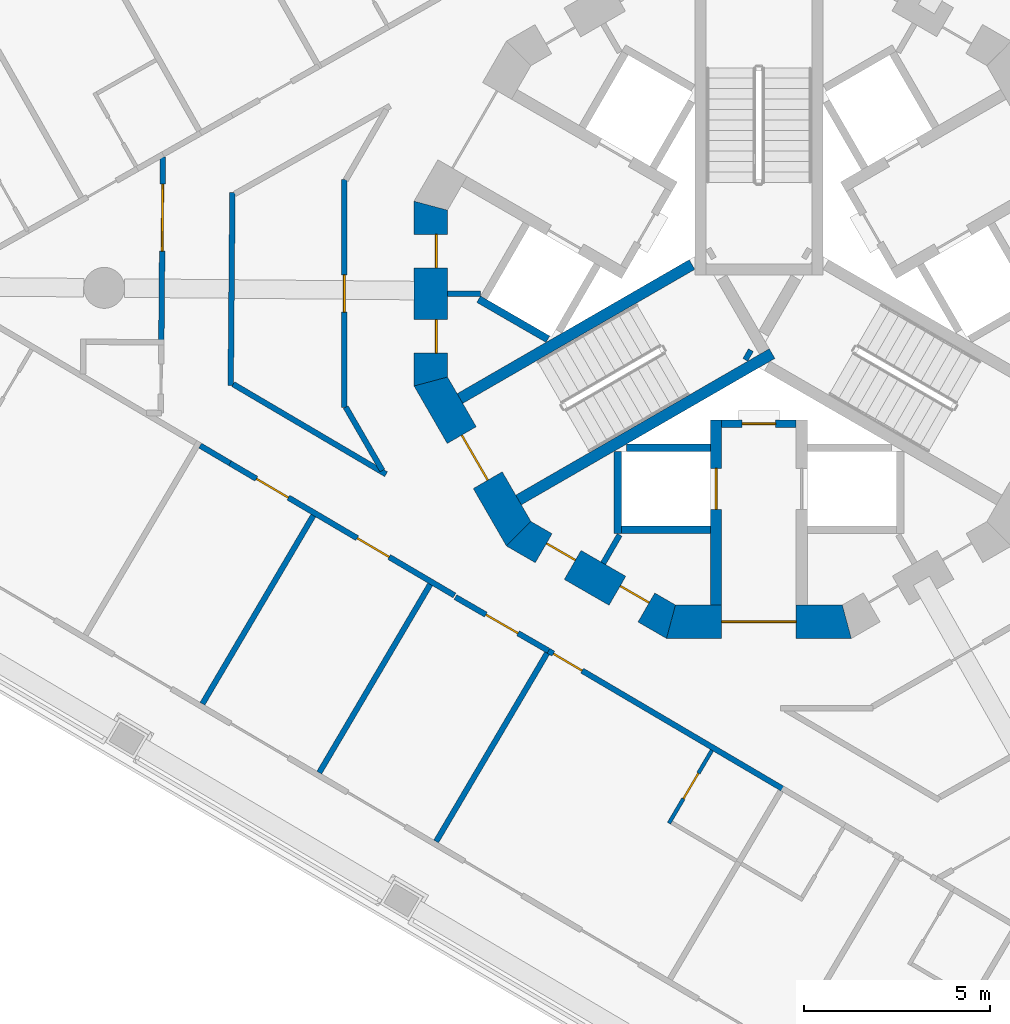
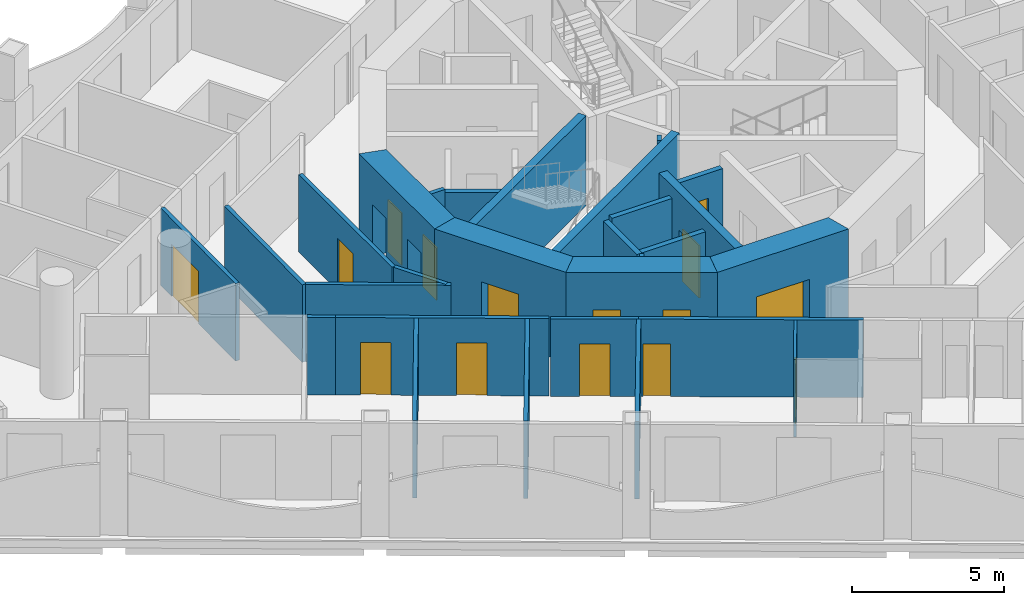
# One storey, part 3 of 17: 28 walls, 15 doors, 15 openings.
"""IFC4 building model written with IfcOpenShell, lengths in metres."""

from ifc_helpers import new_model, si_unit, direction, frame, frame_2d, origin, place, context, subcontext, project, spatial, polyline, rectangle, outline, extrude, material, layer, layer_set, type_object, element, fill, save


model = new_model("IFC4")

# Units and contexts
model_context = context("Model", 3, precision=1e-05, world=origin(), true_north=direction((0.0, 1.0)))
body_context = subcontext(model_context, "Body", "Model", "MODEL_VIEW")
ifc_project = project(units=[si_unit("LENGTHUNIT", "METRE"), si_unit("AREAUNIT", "SQUARE_METRE"), si_unit("VOLUMEUNIT", "CUBIC_METRE"), si_unit("PLANEANGLEUNIT", "RADIAN"), si_unit("MASSUNIT", "GRAM", prefix="KILO")], contexts=[model_context])

# Site, building, storey
site_placement = place(None, origin())
site = spatial("IfcSite", under=ifc_project, at=site_placement, CompositionType="ELEMENT")
building_placement = place(site_placement, origin())
building = spatial("IfcBuilding", under=site, at=building_placement, Name="Trine Commons Tower", CompositionType="ELEMENT")
storey_placement = place(building_placement, frame((0.0, 0.0, 189.89990234375)))
storey = spatial("IfcBuildingStorey", under=building, at=storey_placement, Name="L49", CompositionType="ELEMENT", Elevation=189.89990234375)

# Walls
ifc_material_1 = material(Name="Plasterboard partition on steel studs", Category="steel")
ifc_layer_1 = layer(ifc_material_1, 0.14990234375)
ifc_layer_set_1 = layer_set([ifc_layer_1], Name="Plasterboard partition on steel studs")
wall_type_1 = type_object("IfcWallType", Name="Core room partition 150 mm, EI 60", PredefinedType="PARTITIONING", material=ifc_layer_set_1)
for number, where, z_axis, x_axis, name in (
    (1, (71.626953125, 62.5, 0.0), (0.0, 0.0, 1.0), (1.0, 0.0, 0.0), "Core room partition L49"),
    (2, (75.81396484375, 55.2490234375, 0.0), (0.0, 0.0, 1.0), (0.499890179513, 0.866088799389, 0.0), "Core room partition L49"),
):
    element("IfcWall", number, at=place(storey_placement, frame(where, z_axis=z_axis, x_axis=x_axis)), inside=storey, type_object=wall_type_1, Name=name, PredefinedType="PARTITIONING", context=body_context, shape_type="SweptSolid", body=[
        extrude(rectangle(XDim=0.882080078125, YDim=0.14990234375, at=frame_2d((0.44091796875, 0.0))), origin(), (0.0, 0.0, 1.0), 3.10009765625),
    ])

# Wall, opening, door
ifc_material_2 = material(Name="Fire-rated gypsum shaft wall system")
ifc_layer_2 = layer(ifc_material_2, 0.199951171875)
ifc_layer_set_2 = layer_set([ifc_layer_2], Name="Fire-rated gypsum shaft wall system")
wall_type_2 = type_object("IfcWallType", Name="Lobby end wall 200 mm, EI 120", PredefinedType="PARTITIONING", material=ifc_layer_set_2)
wall_1_placement = place(storey_placement, frame((79.0, 59.0, 0.0), z_axis=(0.0, 0.0, 1.0), x_axis=(1.0, 0.0, 0.0)))
wall_1 = element("IfcWall", 3, at=wall_1_placement, inside=storey, type_object=wall_type_2, Name="Lobby end wall L49", PredefinedType="PARTITIONING", context=body_context, shape_type="SweptSolid", body=[
    extrude(rectangle(XDim=2.0, YDim=0.199951171875, at=frame_2d((1.0, 0.0))), origin(), (0.0, 0.0, 1.0), 3.10009765625),
])
opening_1_placement = place(wall_1_placement, frame((0.550048828125, 0.0, 0.0)))
opening_1 = element("IfcOpeningElement", 4, at=opening_1_placement, cuts=wall_1, Name="Opening K12.09", PredefinedType="OPENING", context=body_context, shape_type="SweptSolid", body=[
    extrude(rectangle(XDim=0.89990234375, YDim=2.10009765625, at=frame_2d((0.449951171875, 1.050048828125))), frame((0.0, 0.10986328125, 0.0), z_axis=(0.0, -1.0, 0.0), x_axis=(1.0, 0.0, 0.0)), (0.0, 0.0, 1.0), 0.219970703125),
])
ifc_material_3 = material(Name="Steel door leaf, fire-rated", Category="steel")
door_type_1 = type_object("IfcDoorType", Name="Riser access door, single leaf 900 x 2100, FD60", OperationType="SINGLE_SWING_LEFT", PredefinedType="DOOR", material=ifc_material_3)
door_1_placement = place(opening_1_placement, frame((0.89990234375, 0.0, 0.0), z_axis=(0.0, 0.0, 1.0), x_axis=(-1.0, 0.0, 0.0)))
door_1 = element("IfcDoor", 5, at=door_1_placement, inside=storey, type_object=door_type_1, Name="Riser door, Communications riser L49", OperationType="SINGLE_SWING_RIGHT", OverallHeight=2.10009765625, OverallWidth=0.89990234375, PredefinedType="DOOR", context=body_context, shape_type="SweptSolid", body=[
    extrude(rectangle(XDim=0.89990234375, YDim=2.10009765625, at=frame_2d((0.449951171875, 1.050048828125))), frame((0.0, 0.02490234375, 0.0), z_axis=(0.0, -1.0, 0.0), x_axis=(1.0, 0.0, 0.0)), (0.0, 0.0, 1.0), 0.050048828125),
])
fill(opening_1, door_1)

ifc_material_4 = material(Name="Concrete C60/75", Category="concrete")
ifc_layer_3 = layer(ifc_material_4, 0.300048828125)
ifc_layer_set_3 = layer_set([ifc_layer_3], Name="Concrete C60/75")
wall_type_3 = type_object("IfcWallType", Name="RC shear wall 300 mm, C60/75", PredefinedType="SHEAR", material=ifc_layer_set_3)
wall_2_placement = place(storey_placement, frame((78.85009765625, 59.10009765625, 0.0), z_axis=(0.0, 0.0, 1.0), x_axis=(0.0, -1.0, 0.0)))
wall_2 = element("IfcWall", 6, at=wall_2_placement, inside=storey, type_object=wall_type_3, Name="Core cross wall SWB-03 L49", PredefinedType="SHEAR", context=body_context, shape_type="SweptSolid", body=[
    extrude(rectangle(XDim=4.97314453125, YDim=0.300048828125, at=frame_2d((2.486572265625, 0.0))), origin(), (0.0, 0.0, 1.0), 3.60009765625),
])
opening_2_placement = place(wall_2_placement, frame((1.300048828125, 0.0, 0.0)))
opening_2 = element("IfcOpeningElement", 7, at=opening_2_placement, cuts=wall_2, Name="Opening LD10", PredefinedType="OPENING", context=body_context, shape_type="SweptSolid", body=[
    extrude(rectangle(XDim=1.10009765625, YDim=2.10009765625, at=frame_2d((0.550048828125, 1.050048828125))), frame((0.0, 0.159912109375, 0.0), z_axis=(0.0, -1.0, 0.0), x_axis=(1.0, 0.0, 0.0)), (0.0, 0.0, 1.0), 0.320068359375),
])
ifc_material_5 = material(Name="Stainless steel sliding door leaves", Category="steel")
door_type_2 = type_object("IfcDoorType", Name="Lift landing door, centre-opening sliding 1100 x 2100, FD90", OperationType="DOUBLE_DOOR_SLIDING", PredefinedType="DOOR", material=ifc_material_5)
door_2_placement = place(opening_2_placement, origin())
door_2 = element("IfcDoor", 8, at=door_2_placement, inside=storey, type_object=door_type_2, Name="Lift landing door FF2 L49", OperationType="DOUBLE_DOOR_SLIDING", OverallHeight=2.10009765625, OverallWidth=1.10009765625, PredefinedType="DOOR", context=body_context, shape_type="SweptSolid", body=[
    extrude(rectangle(XDim=1.10009765625, YDim=2.10009765625, at=frame_2d((0.550048828125, 1.050048828125))), frame((0.0, 0.02490234375, 0.0), z_axis=(0.0, -1.0, 0.0), x_axis=(1.0, 0.0, 0.0)), (0.0, 0.0, 1.0), 0.050048828125),
])
fill(opening_2, door_2)

# Walls
wall_3_placement = place(storey_placement, frame((78.199951171875, 63.280029296875, 0.0), z_axis=(0.0, 0.0, 1.0), x_axis=(-0.866028135082, -0.499995269223, 0.0)))
element("IfcWall", 9, at=wall_3_placement, inside=storey, type_object=wall_type_3, Name="Core cross wall SWB-07 L49", PredefinedType="SHEAR", context=body_context, shape_type="SweptSolid", body=[
    extrude(rectangle(XDim=7.2041015625, YDim=0.300048828125, at=frame_2d((3.60205078125, 0.0))), origin(), (0.0, 0.0, 1.0), 3.60009765625),
])
wall_4_placement = place(storey_placement, frame((79.64599609375, 60.885986328125, 0.0), z_axis=(0.0, 0.0, 1.0), x_axis=(0.867331893649, -0.497730234424, 0.0)))
element("IfcWall", 10, at=wall_4_placement, inside=storey, type_object=wall_type_3, Name="Core cross wall SWB-11 L49", PredefinedType="SHEAR", context=body_context, shape_type="SweptSolid", body=[
    extrude(rectangle(XDim=0.148681640625, YDim=0.300048828125, at=frame_2d((0.07421875, 0.0))), origin(), (0.0, 0.0, 1.0), 3.60009765625),
])
wall_5_placement = place(storey_placement, frame((80.35400390625, 60.885986328125, 0.0), z_axis=(0.0, 0.0, 1.0), x_axis=(-0.866047706748, -0.499961368145, 0.0)))
element("IfcWall", 11, at=wall_5_placement, inside=storey, type_object=wall_type_3, Name="Core cross wall SWB-14 L49", PredefinedType="SHEAR", context=body_context, shape_type="SweptSolid", body=[
    extrude(rectangle(XDim=7.87255859375, YDim=0.300048828125, at=frame_2d((3.936279296875, 0.0))), origin(), (0.0, 0.0, 1.0), 3.60009765625),
])

# Wall, openings, doors
ifc_layer_4 = layer(ifc_material_4, 0.89990234375)
ifc_layer_set_4 = layer_set([ifc_layer_4], Name="Concrete C60/75")
wall_type_4 = type_object("IfcWallType", Name="RC shear wall 900 mm, C60/75", PredefinedType="SHEAR", material=ifc_layer_set_4)
wall_6_placement = place(storey_placement, frame((71.177001953125, 64.984619140625, 0.0), z_axis=(0.0, 0.0, 1.0), x_axis=(0.0, -1.0, 0.0)))
wall_6 = element("IfcWall", 12, at=wall_6_placement, inside=storey, type_object=wall_type_4, Name="Core wall CWE-07 L49", PredefinedType="SHEAR", context=body_context, shape_type="SweptSolid", body=[
    extrude(outline(polyline([(0.0, -0.449951171875), (4.969482421875, -0.449951171875), (4.728271484375, 0.449951171875), (0.2412109375, 0.449951171875), (0.0, -0.449951171875)])), origin(), (0.0, 0.0, 1.0), 3.60009765625),
])
opening_3_placement = place(wall_6_placement, frame((0.893798828125, 0.0, 0.0)))
opening_3 = element("IfcOpeningElement", 13, at=opening_3_placement, cuts=wall_6, Name="Opening K12.16", PredefinedType="OPENING", context=body_context, shape_type="SweptSolid", body=[
    extrude(rectangle(XDim=0.89990234375, YDim=2.10009765625, at=frame_2d((0.449951171875, 1.050048828125))), frame((0.0, 0.4599609375, 0.0), z_axis=(0.0, -1.0, 0.0), x_axis=(1.0, 0.0, 0.0)), (0.0, 0.0, 1.0), 0.919921875),
])
opening_4_placement = place(wall_6_placement, frame((3.184814453125, 0.0, 0.0)))
opening_4 = element("IfcOpeningElement", 14, at=opening_4_placement, cuts=wall_6, Name="Opening K12.17", PredefinedType="OPENING", context=body_context, shape_type="SweptSolid", body=[
    extrude(rectangle(XDim=0.89990234375, YDim=2.10009765625, at=frame_2d((0.449951171875, 1.050048828125))), frame((0.0, 0.4599609375, 0.0), z_axis=(0.0, -1.0, 0.0), x_axis=(1.0, 0.0, 0.0)), (0.0, 0.0, 1.0), 0.919921875),
])
door_type_3 = type_object("IfcDoorType", Name="Core room door, single leaf 900 x 2100, FD30S", OperationType="SINGLE_SWING_LEFT", PredefinedType="DOOR", material=ifc_material_3)
door_3_placement = place(opening_3_placement, origin())
door_3 = element("IfcDoor", 15, at=door_3_placement, inside=storey, type_object=door_type_3, Name="Door to Pantry L49", OperationType="SINGLE_SWING_LEFT", OverallHeight=2.10009765625, OverallWidth=0.89990234375, PredefinedType="DOOR", context=body_context, shape_type="SweptSolid", body=[
    extrude(rectangle(XDim=0.89990234375, YDim=2.10009765625, at=frame_2d((0.449951171875, 1.050048828125))), frame((0.0, 0.1748046875, 0.0), z_axis=(0.0, -1.0, 0.0), x_axis=(1.0, 0.0, 0.0)), (0.0, 0.0, 1.0), 0.050048828125),
])
fill(opening_3, door_3)
door_4_placement = place(opening_4_placement, origin())
door_4 = element("IfcDoor", 16, at=door_4_placement, inside=storey, type_object=door_type_3, Name="Door to Comms room L49", OperationType="SINGLE_SWING_RIGHT", OverallHeight=2.10009765625, OverallWidth=0.89990234375, PredefinedType="DOOR", context=body_context, shape_type="SweptSolid", body=[
    extrude(rectangle(XDim=0.89990234375, YDim=2.10009765625, at=frame_2d((0.449951171875, 1.050048828125))), frame((0.0, 0.1748046875, 0.0), z_axis=(0.0, -1.0, 0.0), x_axis=(1.0, 0.0, 0.0)), (0.0, 0.0, 1.0), 0.050048828125),
])
fill(opening_4, door_4)

# Wall, opening, door
wall_7_placement = place(storey_placement, frame((71.11669921875, 60.240234375, 0.0), z_axis=(0.0, 0.0, 1.0), x_axis=(0.500038571144, -0.866003133579, 0.0)))
wall_7 = element("IfcWall", 17, at=wall_7_placement, inside=storey, type_object=wall_type_4, Name="Core wall CWE-08 L49", PredefinedType="SHEAR", context=body_context, shape_type="SweptSolid", body=[
    extrude(outline(polyline([(0.0, -0.449951171875), (4.96923828125, -0.449951171875), (4.72802734375, 0.449951171875), (0.2412109375, 0.449951171875), (0.0, -0.449951171875)])), origin(), (0.0, 0.0, 1.0), 3.60009765625),
])
opening_5_placement = place(wall_7_placement, frame((1.78466796875, 0.0, 0.0)))
opening_5 = element("IfcOpeningElement", 18, at=opening_5_placement, cuts=wall_7, Name="Opening K12.02", PredefinedType="OPENING", context=body_context, shape_type="SweptSolid", body=[
    extrude(rectangle(XDim=1.39990234375, YDim=2.10009765625, at=frame_2d((0.699951171875, 1.050048828125))), frame((0.0, 0.4599609375, 0.0), z_axis=(0.0, -1.0, 0.0), x_axis=(1.0, 0.0, 0.0)), (0.0, 0.0, 1.0), 0.919921875),
])
ifc_material_6 = material(Name="Steel door leaves, fire-rated", Category="steel")
door_type_4 = type_object("IfcDoorType", Name="Stair door, double leaf 1400 x 2100, FD90", OperationType="DOUBLE_DOOR_SINGLE_SWING", PredefinedType="DOOR", material=ifc_material_6)
door_5_placement = place(opening_5_placement, origin())
door_5 = element("IfcDoor", 19, at=door_5_placement, inside=storey, type_object=door_type_4, Name="Stair door to Exit stair ST2B L49", OperationType="DOUBLE_DOOR_SINGLE_SWING", OverallHeight=2.10009765625, OverallWidth=1.39990234375, PredefinedType="DOOR", context=body_context, shape_type="SweptSolid", body=[
    extrude(rectangle(XDim=1.39990234375, YDim=2.10009765625, at=frame_2d((0.699951171875, 1.050048828125))), frame((0.0, 0.02490234375, 0.0), z_axis=(0.0, -1.0, 0.0), x_axis=(1.0, 0.0, 0.0)), (0.0, 0.0, 1.0), 0.050048828125),
])
fill(opening_5, door_5)

# Wall, openings, doors
wall_8_placement = place(storey_placement, frame((73.436767578125, 56.1015625, 0.0), z_axis=(0.0, 0.0, 1.0), x_axis=(0.866003133579, -0.500038571144, 0.0)))
wall_8 = element("IfcWall", 20, at=wall_8_placement, inside=storey, type_object=wall_type_4, Name="Core wall CWE-09 L49", PredefinedType="SHEAR", context=body_context, shape_type="SweptSolid", body=[
    extrude(outline(polyline([(0.0, -0.449951171875), (4.96923828125, -0.449951171875), (4.72802734375, 0.449951171875), (0.2412109375, 0.449951171875), (0.0, -0.449951171875)])), origin(), (0.0, 0.0, 1.0), 3.60009765625),
])
opening_6_placement = place(wall_8_placement, frame((0.89599609375, 0.0, 0.0)))
opening_6 = element("IfcOpeningElement", 21, at=opening_6_placement, cuts=wall_8, Name="Opening K12.18", PredefinedType="OPENING", context=body_context, shape_type="SweptSolid", body=[
    extrude(rectangle(XDim=0.89990234375, YDim=2.10009765625, at=frame_2d((0.449951171875, 1.050048828125))), frame((0.0, 0.4599609375, 0.0), z_axis=(0.0, -1.0, 0.0), x_axis=(1.0, 0.0, 0.0)), (0.0, 0.0, 1.0), 0.919921875),
])
opening_7_placement = place(wall_8_placement, frame((3.18505859375, 0.0, 0.0)))
opening_7 = element("IfcOpeningElement", 22, at=opening_7_placement, cuts=wall_8, Name="Opening K12.19", PredefinedType="OPENING", context=body_context, shape_type="SweptSolid", body=[
    extrude(rectangle(XDim=0.89990234375, YDim=2.10009765625, at=frame_2d((0.449951171875, 1.050048828125))), frame((0.0, 0.4599609375, 0.0), z_axis=(0.0, -1.0, 0.0), x_axis=(1.0, 0.0, 0.0)), (0.0, 0.0, 1.0), 0.919921875),
])
door_6_placement = place(opening_6_placement, origin())
door_6 = element("IfcDoor", 23, at=door_6_placement, inside=storey, type_object=door_type_3, Name="Door to Print room L49", OperationType="SINGLE_SWING_LEFT", OverallHeight=2.10009765625, OverallWidth=0.89990234375, PredefinedType="DOOR", context=body_context, shape_type="SweptSolid", body=[
    extrude(rectangle(XDim=0.89990234375, YDim=2.10009765625, at=frame_2d((0.449951171875, 1.050048828125))), frame((0.0, 0.1748046875, 0.0), z_axis=(0.0, -1.0, 0.0), x_axis=(1.0, 0.0, 0.0)), (0.0, 0.0, 1.0), 0.050048828125),
])
fill(opening_6, door_6)
door_7_placement = place(opening_7_placement, origin())
door_7 = element("IfcDoor", 24, at=door_7_placement, inside=storey, type_object=door_type_3, Name="Door to Core WC L49", OperationType="SINGLE_SWING_RIGHT", OverallHeight=2.10009765625, OverallWidth=0.89990234375, PredefinedType="DOOR", context=body_context, shape_type="SweptSolid", body=[
    extrude(rectangle(XDim=0.89990234375, YDim=2.10009765625, at=frame_2d((0.449951171875, 1.050048828125))), frame((0.0, 0.1748046875, 0.0), z_axis=(0.0, -1.0, 0.0), x_axis=(1.0, 0.0, 0.0)), (0.0, 0.0, 1.0), 0.050048828125),
])
fill(opening_7, door_7)

# Wall, opening, door
wall_9_placement = place(storey_placement, frame((77.515380859375, 53.677001953125, 0.0), z_axis=(0.0, 0.0, 1.0), x_axis=(1.0, 0.0, 0.0)))
wall_9 = element("IfcWall", 25, at=wall_9_placement, inside=storey, type_object=wall_type_4, Name="Core wall CWE-10 L49", PredefinedType="SHEAR", context=body_context, shape_type="SweptSolid", body=[
    extrude(outline(polyline([(0.0, -0.449951171875), (4.969482421875, -0.449951171875), (4.728271484375, 0.449951171875), (0.2412109375, 0.449951171875), (0.0, -0.449951171875)])), origin(), (0.0, 0.0, 1.0), 3.60009765625),
])
opening_8_placement = place(wall_9_placement, frame((1.484619140625, 0.0, 0.0)))
opening_8 = element("IfcOpeningElement", 26, at=opening_8_placement, cuts=wall_9, Name="Opening K12.08", PredefinedType="OPENING", context=body_context, shape_type="SweptSolid", body=[
    extrude(rectangle(XDim=2.0, YDim=2.10009765625, at=frame_2d((1.0, 1.050048828125))), frame((0.0, 0.4599609375, 0.0), z_axis=(0.0, -1.0, 0.0), x_axis=(1.0, 0.0, 0.0)), (0.0, 0.0, 1.0), 0.919921875),
])
door_type_5 = type_object("IfcDoorType", Name="Lobby door, double leaf 2000 x 2100, FD60", OperationType="DOUBLE_DOOR_SINGLE_SWING", PredefinedType="DOOR", material=ifc_material_6)
door_8_placement = place(opening_8_placement, origin())
door_8 = element("IfcDoor", 27, at=door_8_placement, inside=storey, type_object=door_type_5, Name="Lobby door, Service and firefighting lobby L49", OperationType="DOUBLE_DOOR_SINGLE_SWING", OverallHeight=2.10009765625, OverallWidth=2.0, PredefinedType="DOOR", context=body_context, shape_type="SweptSolid", body=[
    extrude(rectangle(XDim=2.0, YDim=2.10009765625, at=frame_2d((1.0, 1.050048828125))), frame((0.0, 0.02490234375, 0.0), z_axis=(0.0, -1.0, 0.0), x_axis=(1.0, 0.0, 0.0)), (0.0, 0.0, 1.0), 0.050048828125),
])
fill(opening_8, door_8)

# Walls
ifc_layer_5 = layer(ifc_material_2, 0.199951171875)
ifc_layer_set_5 = layer_set([ifc_layer_5], Name="Fire-rated gypsum shaft wall system")
wall_type_5 = type_object("IfcWallType", Name="Shaft wall 200 mm, EI 120", PredefinedType="PARTITIONING", material=ifc_layer_set_5)
wall_10_placement = place(storey_placement, frame((74.324951171875, 61.27392578125, 0.0), z_axis=(0.0, 0.0, 1.0), x_axis=(-0.866102336459, 0.499866725018, 0.0)))
element("IfcWall", 28, at=wall_10_placement, inside=storey, type_object=wall_type_5, Name="Shaft wall L49", PredefinedType="PARTITIONING", context=body_context, shape_type="SweptSolid", body=[
    extrude(rectangle(XDim=2.1484375, YDim=0.199951171875, at=frame_2d((1.07421875, 0.0))), origin(), (0.0, 0.0, 1.0), 3.10009765625),
])
wall_11_placement = place(storey_placement, frame((76.199951171875, 58.257080078125, 0.0), z_axis=(0.0, 0.0, 1.0), x_axis=(0.0, -1.0, 0.0)))
element("IfcWall", 29, at=wall_11_placement, inside=storey, type_object=wall_type_5, Name="Shaft wall L49", PredefinedType="PARTITIONING", context=body_context, shape_type="SweptSolid", body=[
    extrude(rectangle(XDim=2.20703125, YDim=0.199951171875, at=frame_2d((1.103515625, 0.0))), origin(), (0.0, 0.0, 1.0), 3.10009765625),
])
wall_12_placement = place(storey_placement, frame((78.699951171875, 56.14990234375, 0.0), z_axis=(0.0, 0.0, 1.0), x_axis=(-1.0, 0.0, 0.0)))
element("IfcWall", 30, at=wall_12_placement, inside=storey, type_object=wall_type_5, Name="Shaft wall L49", PredefinedType="PARTITIONING", context=body_context, shape_type="SweptSolid", body=[
    extrude(rectangle(XDim=2.39990234375, YDim=0.199951171875, at=frame_2d((1.199951171875, 0.0))), origin(), (0.0, 0.0, 1.0), 3.10009765625),
])
wall_13_placement = place(storey_placement, frame((78.699951171875, 58.35009765625, 0.0), z_axis=(0.0, 0.0, 1.0), x_axis=(-1.0, 0.0, 0.0)))
element("IfcWall", 31, at=wall_13_placement, inside=storey, type_object=wall_type_5, Name="Shaft wall L49", PredefinedType="PARTITIONING", context=body_context, shape_type="SweptSolid", body=[
    extrude(rectangle(XDim=2.264892578125, YDim=0.199951171875, at=frame_2d((1.13232421875, 0.0))), origin(), (0.0, 0.0, 1.0), 3.10009765625),
])

# Wall, opening, door
ifc_material_7 = material(Name="Gypsum plasterboard on steel stud", Category="steel")
ifc_layer_6 = layer(ifc_material_7, 0.14990234375)
ifc_layer_set_6 = layer_set([ifc_layer_6], Name="Gypsum plasterboard on steel stud")
wall_type_6 = type_object("IfcWallType", Name="Unit and corridor wall 150 mm, EI 60", PredefinedType="PARTITIONING", material=ifc_layer_set_6)
wall_14_placement = place(storey_placement, frame((63.931884765625, 61.18310546875, 0.0), z_axis=(0.0, 0.0, 1.0), x_axis=(0.008717466764, 0.999962002165, 0.0)))
wall_14 = element("IfcWall", 32, at=wall_14_placement, inside=storey, type_object=wall_type_6, Name="Partition 021", PredefinedType="PARTITIONING", context=body_context, shape_type="SweptSolid", body=[
    extrude(rectangle(XDim=4.985107421875, YDim=0.14990234375, at=frame_2d((2.49267578125, 0.0))), origin(), (0.0, 0.0, 1.0), 3.10009765625),
])
opening_9_placement = place(wall_14_placement, frame((2.458984375, 0.0, 0.0)))
opening_9 = element("IfcOpeningElement", 33, at=opening_9_placement, cuts=wall_14, Name="Opening D-5C03", PredefinedType="OPENING", context=body_context, shape_type="SweptSolid", body=[
    extrude(rectangle(XDim=1.800048828125, YDim=2.10009765625, at=frame_2d((0.89990234375, 1.050048828125))), frame((0.0, 0.0849609375, 0.0), z_axis=(0.0, -1.0, 0.0), x_axis=(1.0, 0.0, 0.0)), (0.0, 0.0, 1.0), 0.169921875),
])
ifc_material_8 = material(Name="Timber fire door set", Category="wood")
door_type_6 = type_object("IfcDoorType", Name="Cluster entrance door 1800 x 2100, double leaf, FD30S", OperationType="DOUBLE_DOOR_DOUBLE_SWING", PredefinedType="DOOR", material=ifc_material_8)
door_9_placement = place(opening_9_placement, origin())
door_9 = element("IfcDoor", 34, at=door_9_placement, inside=storey, type_object=door_type_6, Name="Door D-5C03", OperationType="DOUBLE_DOOR_DOUBLE_SWING", OverallHeight=2.10009765625, OverallWidth=1.800048828125, PredefinedType="DOOR", context=body_context, shape_type="SweptSolid", body=[
    extrude(rectangle(XDim=1.800048828125, YDim=2.10009765625, at=frame_2d((0.89990234375, 1.050048828125))), frame((0.0, 0.02490234375, 0.0), z_axis=(0.0, -1.0, 0.0), x_axis=(1.0, 0.0, 0.0)), (0.0, 0.0, 1.0), 0.050048828125),
])
fill(opening_9, door_9)

# Walls
wall_15_placement = place(storey_placement, frame((64.9755859375, 58.411865234375, 0.0), z_axis=(0.0, 0.0, 1.0), x_axis=(0.861348284073, -0.508014894982, 0.0)))
element("IfcWall", 35, at=wall_15_placement, inside=storey, type_object=wall_type_6, Name="Partition 023", PredefinedType="PARTITIONING", context=body_context, shape_type="SweptSolid", body=[
    extrude(rectangle(XDim=0.932861328125, YDim=0.14990234375, at=frame_2d((0.46630859375, 0.0))), origin(), (0.0, 0.0, 1.0), 3.10009765625),
])
wall_16_placement = place(storey_placement, frame((65.037353515625, 51.470458984375, 0.0), z_axis=(0.0, 0.0, 1.0), x_axis=(0.507499507785, 0.861652046709, 0.0)))
element("IfcWall", 36, at=wall_16_placement, inside=storey, type_object=wall_type_6, Name="Partition 025", PredefinedType="PARTITIONING", context=body_context, shape_type="SweptSolid", body=[
    extrude(rectangle(XDim=5.874755859375, YDim=0.14990234375, at=frame_2d((2.9375, 0.0))), origin(), (0.0, 0.0, 1.0), 3.10009765625),
])

# Wall, openings, doors
wall_17_placement = place(storey_placement, frame((65.779052734375, 57.93798828125, 0.0), z_axis=(0.0, 0.0, 1.0), x_axis=(0.861623120435, -0.507548616718, 0.0)))
wall_17 = element("IfcWall", 37, at=wall_17_placement, inside=storey, type_object=wall_type_6, Name="Partition 027", PredefinedType="PARTITIONING", context=body_context, shape_type="SweptSolid", body=[
    extrude(rectangle(XDim=7.004150390625, YDim=0.14990234375, at=frame_2d((3.501953125, 0.0))), origin(), (0.0, 0.0, 1.0), 3.10009765625),
])
opening_10_placement = place(wall_17_placement, frame((3.967041015625, 0.0, 0.0)))
opening_10 = element("IfcOpeningElement", 38, at=opening_10_placement, cuts=wall_17, Name="Opening D-5C25", PredefinedType="OPENING", context=body_context, shape_type="SweptSolid", body=[
    extrude(rectangle(XDim=1.0, YDim=2.10009765625, at=frame_2d((0.5, 1.050048828125))), frame((0.0, 0.0849609375, 0.0), z_axis=(0.0, -1.0, 0.0), x_axis=(1.0, 0.0, 0.0)), (0.0, 0.0, 1.0), 0.169921875),
])
opening_11_placement = place(wall_17_placement, frame((0.82177734375, 0.0, 0.0)))
opening_11 = element("IfcOpeningElement", 39, at=opening_11_placement, cuts=wall_17, Name="Opening D-5C26", PredefinedType="OPENING", context=body_context, shape_type="SweptSolid", body=[
    extrude(rectangle(XDim=1.0, YDim=2.10009765625, at=frame_2d((0.5, 1.050048828125))), frame((0.0, 0.0849609375, 0.0), z_axis=(0.0, -1.0, 0.0), x_axis=(1.0, 0.0, 0.0)), (0.0, 0.0, 1.0), 0.169921875),
])
ifc_material_9 = material(Name="Painted timber", Category="wood")
door_type_7 = type_object("IfcDoorType", Name="Amenity room door 1000 x 2100, NOT RATED", OperationType="NOTDEFINED", PredefinedType="DOOR", material=ifc_material_9)
door_10_placement = place(opening_10_placement, frame((1.0, 0.0, 0.0), z_axis=(0.0, 0.0, 1.0), x_axis=(-1.0, 0.0, 0.0)))
door_10 = element("IfcDoor", 40, at=door_10_placement, inside=storey, type_object=door_type_7, Name="Door D-5C25", OperationType="SINGLE_SWING_LEFT", OverallHeight=2.10009765625, OverallWidth=1.0, PredefinedType="DOOR", context=body_context, shape_type="SweptSolid", body=[
    extrude(rectangle(XDim=1.0, YDim=2.10009765625, at=frame_2d((0.5, 1.050048828125))), frame((0.0, 0.02490234375, 0.0), z_axis=(0.0, -1.0, 0.0), x_axis=(1.0, 0.0, 0.0)), (0.0, 0.0, 1.0), 0.050048828125),
])
fill(opening_10, door_10)
door_11_placement = place(opening_11_placement, frame((1.0, 0.0, 0.0), z_axis=(0.0, 0.0, 1.0), x_axis=(-1.0, 0.0, 0.0)))
door_11 = element("IfcDoor", 41, at=door_11_placement, inside=storey, type_object=door_type_7, Name="Door D-5C26", OperationType="SINGLE_SWING_RIGHT", OverallHeight=2.10009765625, OverallWidth=1.0, PredefinedType="DOOR", context=body_context, shape_type="SweptSolid", body=[
    extrude(rectangle(XDim=1.0, YDim=2.10009765625, at=frame_2d((0.5, 1.050048828125))), frame((0.0, 0.02490234375, 0.0), z_axis=(0.0, -1.0, 0.0), x_axis=(1.0, 0.0, 0.0)), (0.0, 0.0, 1.0), 0.050048828125),
])
fill(opening_11, door_11)

# Walls
wall_18_placement = place(storey_placement, frame((65.79736328125, 60.028076171875, 0.0), z_axis=(0.0, 0.0, 1.0), x_axis=(0.008747666417, 0.999961738434, 0.0)))
element("IfcWall", 42, at=wall_18_placement, inside=storey, type_object=wall_type_6, Name="Partition 028", PredefinedType="PARTITIONING", context=body_context, shape_type="SweptSolid", body=[
    extrude(rectangle(XDim=5.191162109375, YDim=0.14990234375, at=frame_2d((2.595703125, 0.0))), origin(), (0.0, 0.0, 1.0), 3.10009765625),
])
wall_19_placement = place(storey_placement, frame((65.862548828125, 60.06494140625, 0.0), z_axis=(0.0, 0.0, 1.0), x_axis=(0.861635540959, -0.507527530835, 0.0)))
element("IfcWall", 43, at=wall_19_placement, inside=storey, type_object=wall_type_6, Name="Partition 029", PredefinedType="PARTITIONING", context=body_context, shape_type="SweptSolid", body=[
    extrude(rectangle(XDim=4.7724609375, YDim=0.14990234375, at=frame_2d((2.38623046875, 0.0))), origin(), (0.0, 0.0, 1.0), 3.10009765625),
])
wall_20_placement = place(storey_placement, frame((68.17919921875, 49.619384765625, 0.0), z_axis=(0.0, 0.0, 1.0), x_axis=(0.507603061138, 0.861591047031, 0.0)))
element("IfcWall", 44, at=wall_20_placement, inside=storey, type_object=wall_type_6, Name="Partition 033", PredefinedType="PARTITIONING", context=body_context, shape_type="SweptSolid", body=[
    extrude(rectangle(XDim=5.8740234375, YDim=0.14990234375, at=frame_2d((2.93701171875, 0.0))), origin(), (0.0, 0.0, 1.0), 3.10009765625),
])

# Wall, opening, door
wall_21_placement = place(storey_placement, frame((68.85205078125, 59.43798828125, 0.0), z_axis=(0.0, 0.0, 1.0), x_axis=(0.0, 1.0, 0.0)))
wall_21 = element("IfcWall", 45, at=wall_21_placement, inside=storey, type_object=wall_type_6, Name="Partition 035", PredefinedType="PARTITIONING", context=body_context, shape_type="SweptSolid", body=[
    extrude(rectangle(XDim=6.1240234375, YDim=0.14990234375, at=frame_2d((3.06201171875, 0.0))), origin(), (0.0, 0.0, 1.0), 3.10009765625),
])
opening_12_placement = place(wall_21_placement, frame((2.56201171875, 0.0, 0.0)))
opening_12 = element("IfcOpeningElement", 46, at=opening_12_placement, cuts=wall_21, Name="Opening D-5C28", PredefinedType="OPENING", context=body_context, shape_type="SweptSolid", body=[
    extrude(rectangle(XDim=1.0, YDim=2.10009765625, at=frame_2d((0.5, 1.050048828125))), frame((0.0, 0.0849609375, 0.0), z_axis=(0.0, -1.0, 0.0), x_axis=(1.0, 0.0, 0.0)), (0.0, 0.0, 1.0), 0.169921875),
])
door_12_placement = place(opening_12_placement, origin())
door_12 = element("IfcDoor", 47, at=door_12_placement, inside=storey, type_object=door_type_7, Name="Door D-5C28", OperationType="SINGLE_SWING_RIGHT", OverallHeight=2.10009765625, OverallWidth=1.0, PredefinedType="DOOR", context=body_context, shape_type="SweptSolid", body=[
    extrude(rectangle(XDim=1.0, YDim=2.10009765625, at=frame_2d((0.5, 1.050048828125))), frame((0.0, 0.02490234375, 0.0), z_axis=(0.0, -1.0, 0.0), x_axis=(1.0, 0.0, 0.0)), (0.0, 0.0, 1.0), 0.050048828125),
])
fill(opening_12, door_12)

# Walls
wall_22_placement = place(storey_placement, frame((68.889404296875, 59.447998046875, 0.0), z_axis=(0.0, 0.0, 1.0), x_axis=(0.500259007655, -0.865875813994, 0.0)))
element("IfcWall", 48, at=wall_22_placement, inside=storey, type_object=wall_type_6, Name="Partition 036", PredefinedType="PARTITIONING", context=body_context, shape_type="SweptSolid", body=[
    extrude(rectangle(XDim=1.96923828125, YDim=0.14990234375, at=frame_2d((0.984619140625, 0.0))), origin(), (0.0, 0.0, 1.0), 3.10009765625),
])
wall_23_placement = place(storey_placement, frame((71.322265625, 47.7685546875, 0.0), z_axis=(0.0, 0.0, 1.0), x_axis=(0.507621238888, 0.86158033742, 0.0)))
element("IfcWall", 49, at=wall_23_placement, inside=storey, type_object=wall_type_6, Name="Partition 040", PredefinedType="PARTITIONING", context=body_context, shape_type="SweptSolid", body=[
    extrude(rectangle(XDim=5.873779296875, YDim=0.14990234375, at=frame_2d((2.93701171875, 0.0))), origin(), (0.0, 0.0, 1.0), 3.10009765625),
])

# Wall, opening, door
wall_24_placement = place(storey_placement, frame((71.839111328125, 54.339111328125, 0.0), z_axis=(0.0, 0.0, 1.0), x_axis=(0.866109656245, -0.499854042055, 0.0)))
wall_24 = element("IfcWall", 50, at=wall_24_placement, inside=storey, type_object=wall_type_6, Name="Partition 042", PredefinedType="PARTITIONING", context=body_context, shape_type="SweptSolid", body=[
    extrude(rectangle(XDim=2.890869140625, YDim=0.14990234375, at=frame_2d((1.4453125, 0.0))), origin(), (0.0, 0.0, 1.0), 3.10009765625),
])
opening_13_placement = place(wall_24_placement, frame((0.94482421875, 0.0, 0.0)))
opening_13 = element("IfcOpeningElement", 51, at=opening_13_placement, cuts=wall_24, Name="Opening D-5C24", PredefinedType="OPENING", context=body_context, shape_type="SweptSolid", body=[
    extrude(rectangle(XDim=1.0, YDim=2.10009765625, at=frame_2d((0.5, 1.050048828125))), frame((0.0, 0.0849609375, 0.0), z_axis=(0.0, -1.0, 0.0), x_axis=(1.0, 0.0, 0.0)), (0.0, 0.0, 1.0), 0.169921875),
])
door_13_placement = place(opening_13_placement, frame((1.0, 0.0, 0.0), z_axis=(0.0, 0.0, 1.0), x_axis=(-1.0, 0.0, 0.0)))
door_13 = element("IfcDoor", 52, at=door_13_placement, inside=storey, type_object=door_type_7, Name="Door D-5C24", OperationType="SINGLE_SWING_RIGHT", OverallHeight=2.10009765625, OverallWidth=1.0, PredefinedType="DOOR", context=body_context, shape_type="SweptSolid", body=[
    extrude(rectangle(XDim=1.0, YDim=2.10009765625, at=frame_2d((0.5, 1.050048828125))), frame((0.0, 0.02490234375, 0.0), z_axis=(0.0, -1.0, 0.0), x_axis=(1.0, 0.0, 0.0)), (0.0, 0.0, 1.0), 0.050048828125),
])
fill(opening_13, door_13)

wall_25_placement = place(storey_placement, frame((74.343017578125, 52.89306640625, 0.0), z_axis=(0.0, 0.0, 1.0), x_axis=(0.861637780131, -0.507523729348, 0.0)))
wall_25 = element("IfcWall", 53, at=wall_25_placement, inside=storey, type_object=wall_type_6, Name="Partition 043", PredefinedType="PARTITIONING", context=body_context, shape_type="SweptSolid", body=[
    extrude(rectangle(XDim=7.37158203125, YDim=0.14990234375, at=frame_2d((3.685791015625, 0.0))), origin(), (0.0, 0.0, 1.0), 3.10009765625),
])
opening_14_placement = place(wall_25_placement, frame((0.14990234375, 0.0, 0.0)))
opening_14 = element("IfcOpeningElement", 54, at=opening_14_placement, cuts=wall_25, Name="Opening D-5C23", PredefinedType="OPENING", context=body_context, shape_type="SweptSolid", body=[
    extrude(rectangle(XDim=0.89990234375, YDim=2.10009765625, at=frame_2d((0.449951171875, 1.050048828125))), frame((0.0, 0.0849609375, 0.0), z_axis=(0.0, -1.0, 0.0), x_axis=(1.0, 0.0, 0.0)), (0.0, 0.0, 1.0), 0.169921875),
])
door_type_8 = type_object("IfcDoorType", Name="Bedroom door 900 x 2100, FD30S", OperationType="NOTDEFINED", PredefinedType="DOOR", material=ifc_material_8)
door_14_placement = place(opening_14_placement, frame((0.89990234375, 0.0, 0.0), z_axis=(0.0, 0.0, 1.0), x_axis=(-1.0, 0.0, 0.0)))
door_14 = element("IfcDoor", 55, at=door_14_placement, inside=storey, type_object=door_type_8, Name="Door D-5C23", OperationType="SINGLE_SWING_RIGHT", OverallHeight=2.10009765625, OverallWidth=0.89990234375, PredefinedType="DOOR", context=body_context, shape_type="SweptSolid", body=[
    extrude(rectangle(XDim=0.89990234375, YDim=2.10009765625, at=frame_2d((0.449951171875, 1.050048828125))), frame((0.0, 0.02490234375, 0.0), z_axis=(0.0, -1.0, 0.0), x_axis=(1.0, 0.0, 0.0)), (0.0, 0.0, 1.0), 0.050048828125),
])
fill(opening_14, door_14)

ifc_layer_7 = layer(ifc_material_7, 0.10009765625)
ifc_layer_set_7 = layer_set([ifc_layer_7], Name="Gypsum plasterboard on steel stud")
wall_type_7 = type_object("IfcWallType", Name="Unit partition 100 mm, no rating", PredefinedType="PARTITIONING", material=ifc_layer_set_7)
wall_26_placement = place(storey_placement, frame((77.58154296875, 48.2587890625, 0.0), z_axis=(0.0, 0.0, 1.0), x_axis=(0.507517296511, 0.861641569182, 0.0)))
wall_26 = element("IfcWall", 56, at=wall_26_placement, inside=storey, type_object=wall_type_7, Name="Partition 047", PredefinedType="PARTITIONING", context=body_context, shape_type="SweptSolid", body=[
    extrude(rectangle(XDim=2.2744140625, YDim=0.10009765625, at=frame_2d((1.13720703125, 0.0))), origin(), (0.0, 0.0, 1.0), 3.10009765625),
])
opening_15_placement = place(wall_26_placement, frame((0.76220703125, 0.0, 0.0)))
opening_15 = element("IfcOpeningElement", 57, at=opening_15_placement, cuts=wall_26, Name="Opening D-5C49", PredefinedType="OPENING", context=body_context, shape_type="SweptSolid", body=[
    extrude(rectangle(XDim=0.800048828125, YDim=2.10009765625, at=frame_2d((0.39990234375, 1.050048828125))), frame((0.0, 0.06005859375, 0.0), z_axis=(0.0, -1.0, 0.0), x_axis=(1.0, 0.0, 0.0)), (0.0, 0.0, 1.0), 0.1201171875),
])
door_type_9 = type_object("IfcDoorType", Name="Internal door 800 x 2100, NOT RATED", OperationType="NOTDEFINED", PredefinedType="DOOR", material=ifc_material_9)
door_15_placement = place(opening_15_placement, origin())
door_15 = element("IfcDoor", 58, at=door_15_placement, inside=storey, type_object=door_type_9, Name="Door D-5C49", OperationType="SINGLE_SWING_RIGHT", OverallHeight=2.10009765625, OverallWidth=0.800048828125, PredefinedType="DOOR", context=body_context, shape_type="SweptSolid", body=[
    extrude(rectangle(XDim=0.800048828125, YDim=2.10009765625, at=frame_2d((0.39990234375, 1.050048828125))), frame((0.0, 0.02490234375, 0.0), z_axis=(0.0, -1.0, 0.0), x_axis=(1.0, 0.0, 0.0)), (0.0, 0.0, 1.0), 0.050048828125),
])
fill(opening_15, door_15)

save(model, "model.ifc")
